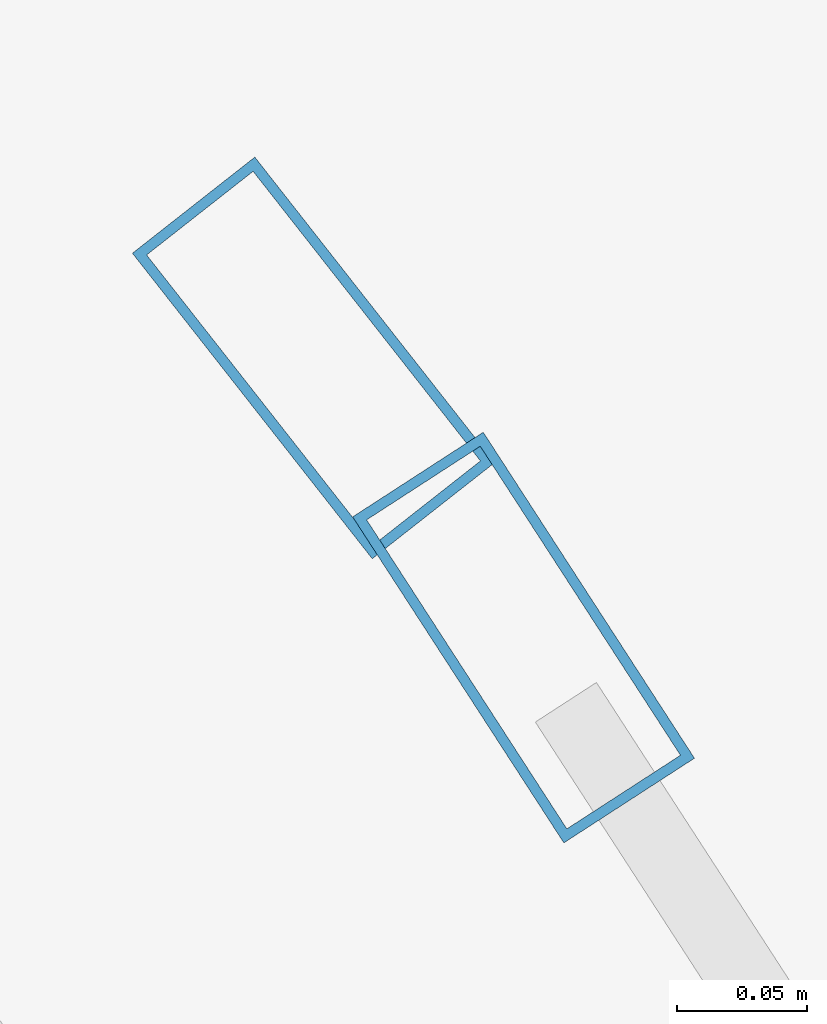
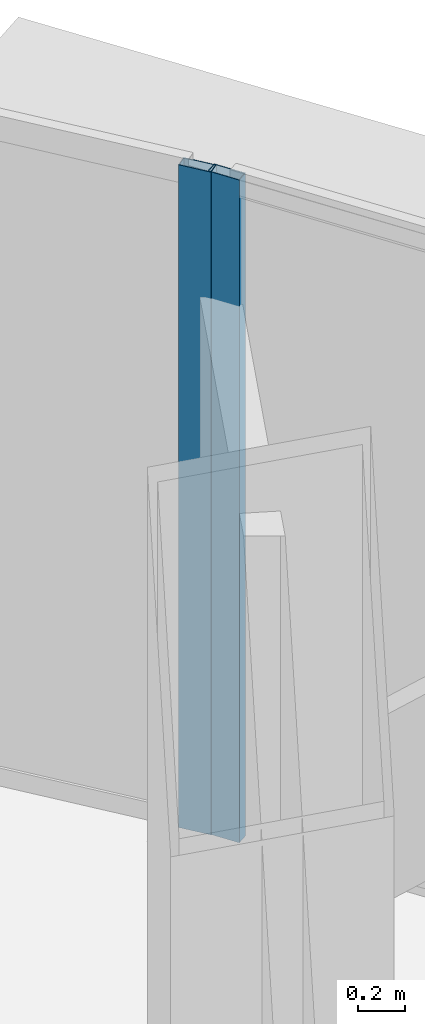
# One storey, part 20 of 42: 2 members, 2 elements without a shape of their own.
"""IFC4 building model written with IfcOpenShell, lengths in metres."""

from ifc_helpers import new_model, si_unit, direction, frame, origin, origin_2d, place, context, subcontext, project, spatial, hollow_rectangle, extrude, source, transform, mapped, material, layer, layer_set, material_profile, profile_set, type_object, element, aggregate, save


model = new_model("IFC4")

# Units and contexts
model_context = context("Model", 3, precision=1e-05, world=origin(), true_north=direction((0.0, 1.0)))
body_context = subcontext(model_context, "Body", "Model", "MODEL_VIEW")
ifc_project = project(units=[si_unit("LENGTHUNIT", "METRE"), si_unit("AREAUNIT", "SQUARE_METRE"), si_unit("VOLUMEUNIT", "CUBIC_METRE"), si_unit("PLANEANGLEUNIT", "RADIAN"), si_unit("MASSUNIT", "GRAM", prefix="KILO"), si_unit("THERMODYNAMICTEMPERATUREUNIT", "KELVIN"), si_unit("POWERUNIT", "WATT")], contexts=[model_context])

# Site, building, storey
site_placement = place(None, origin())
site = spatial("IfcSite", under=ifc_project, at=site_placement, CompositionType="ELEMENT")
building_placement = place(site_placement, origin())
building = spatial("IfcBuilding", under=site, at=building_placement, Name="Yunzhuo Pagoda Commons", CompositionType="ELEMENT")
storey_placement = place(building_placement, frame((0.0, 0.0, 129.830078125)))
storey = spatial("IfcBuildingStorey", under=building, at=storey_placement, Name="L32", CompositionType="ELEMENT", Elevation=129.830078125)

# Curtain wall, member
ifc_material = material(Name="Anodized aluminium 6063-T6", Category="aluminium")
ifc_layer = layer(ifc_material, 0.14990234375)
ifc_layer_set = layer_set([ifc_layer], Name="Anodized aluminium 6063-T6")
curtain_wall_type = type_object("IfcCurtainWallType", Name="CW-MID Mid-Zone Ribbon Curtain Wall", PredefinedType="NOTDEFINED", material=ifc_layer_set)
curtain_wall_1_placement = place(storey_placement, origin())
curtain_wall_1 = element("IfcCurtainWall", 1, at=curtain_wall_1_placement, inside=storey, type_object=curtain_wall_type, Name="L32 curtain wall CW-L32-F2B4", PredefinedType="NOTDEFINED")
ifc_material_profile = material_profile(ifc_material, hollow_rectangle(XDim=0.06005859375, YDim=0.14990234375, WallThickness=0.00390625, at=origin_2d()), Name="Anodized aluminium 6063-T6")
ifc_profile_set = profile_set([ifc_material_profile], Name="Anodized aluminium 6063-T6")
member_type = type_object("IfcMemberType", Name="CW-MID-M Mullion RHS 150x60x4", PredefinedType="MULLION", material=ifc_profile_set)
shared_shape = source(origin(), body_context, "Body", "SweptSolid", [
    extrude(hollow_rectangle(XDim=0.06005859375, YDim=0.14990234375, WallThickness=0.00390625, at=origin_2d()), origin(), (0.0, 0.0, 1.0), 3.419921875),
])
member_1_placement = place(storey_placement, frame((64.2509765625, 70.138427734375, 0.0), z_axis=(0.0, 0.0, 1.0), x_axis=(-0.839249165596, -0.543747034977, 0.0)))
member_1 = element("IfcMember", 2, at=member_1_placement, type_object=member_type, Name="CW mullion 2", PredefinedType="MULLION", context=body_context, shape_type="MappedRepresentation", body=[
    mapped(shared_shape, transform((0.0, 0.0, 0.0), scale=1.0)),
])
aggregate(curtain_wall_1, [member_1])

curtain_wall_2_placement = place(storey_placement, origin())
curtain_wall_2 = element("IfcCurtainWall", 3, at=curtain_wall_2_placement, inside=storey, type_object=curtain_wall_type, Name="L32 curtain wall CW-L32-F2B5", PredefinedType="NOTDEFINED")
member_2_placement = place(storey_placement, frame((64.169921875, 70.246337890625, 0.0), z_axis=(0.0, 0.0, 1.0), x_axis=(-0.786571576347, -0.617499113588, 0.0)))
member_2 = element("IfcMember", 4, at=member_2_placement, type_object=member_type, Name="CW mullion 1", PredefinedType="MULLION", context=body_context, shape_type="MappedRepresentation", body=[
    mapped(shared_shape, transform((0.0, 0.0, 0.0), scale=1.0)),
])
aggregate(curtain_wall_2, [member_2])

save(model, "model.ifc")
